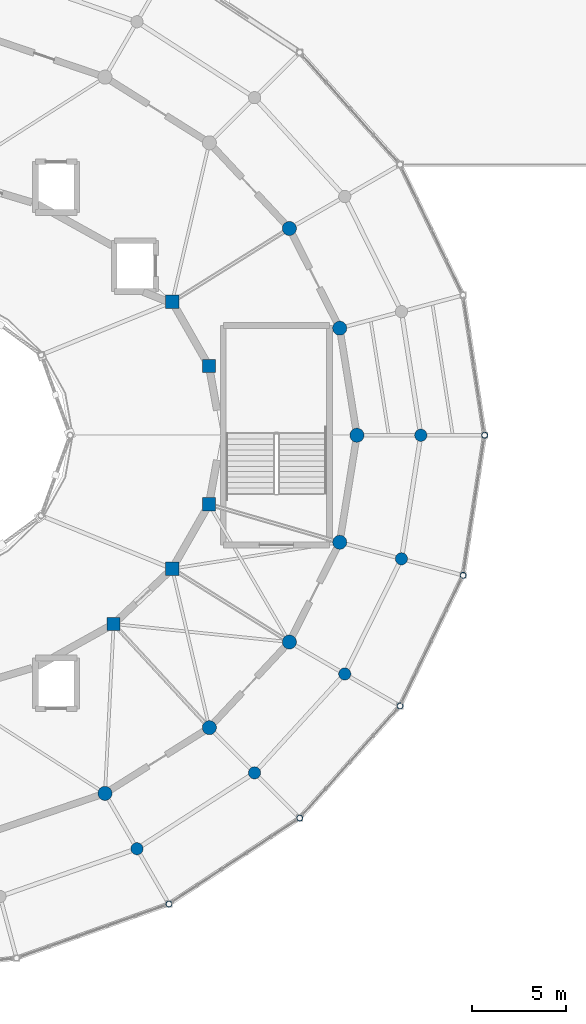
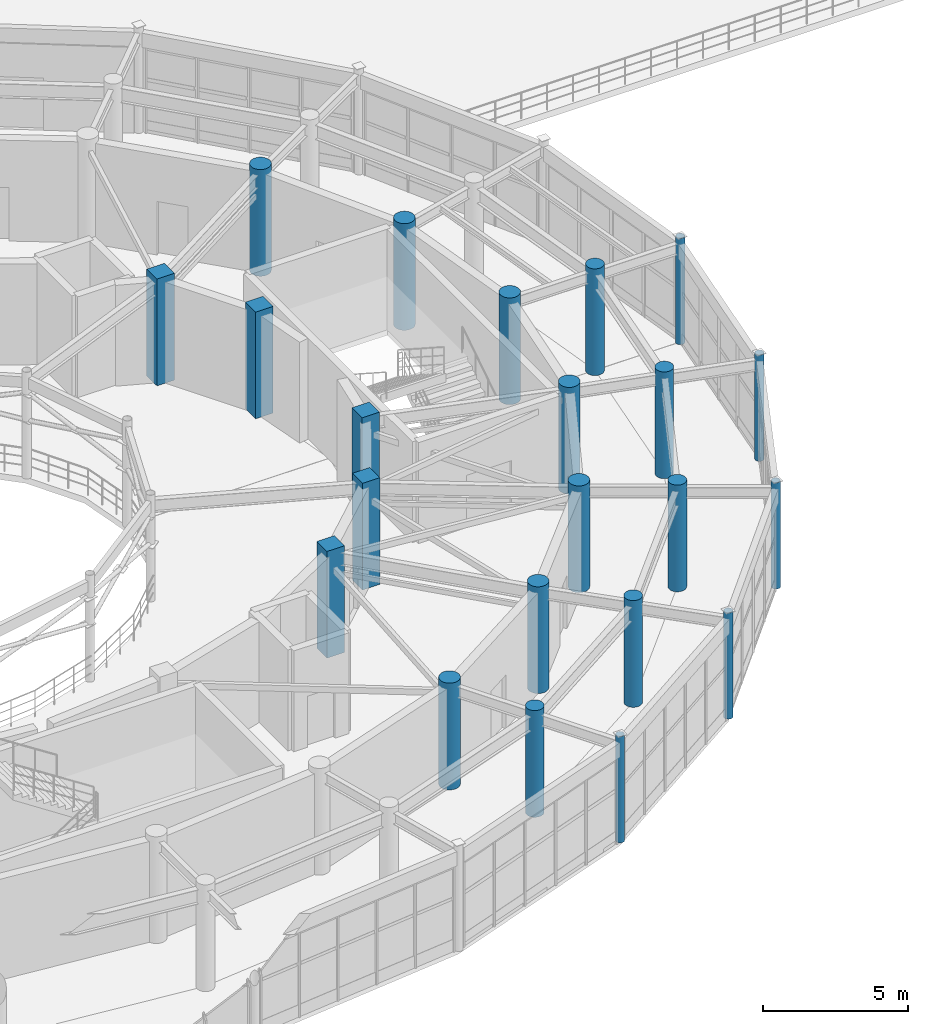
# One storey, part 12 of 60: 22 columns.
"""IFC4 building model written with IfcOpenShell, lengths in metres."""

from ifc_helpers import new_model, si_unit, direction, frame, origin, origin_2d, place, context, subcontext, project, spatial, rectangle, circle, hollow_circle, extrude, material, material_profile, profile_set, type_object, element, save


model = new_model("IFC4")

# Units and contexts
model_context = context("Model", 3, precision=1e-05, world=origin(), true_north=direction((0.0, 1.0)))
body_context = subcontext(model_context, "Body", "Model", "MODEL_VIEW")
ifc_project = project(units=[si_unit("LENGTHUNIT", "METRE"), si_unit("AREAUNIT", "SQUARE_METRE"), si_unit("VOLUMEUNIT", "CUBIC_METRE"), si_unit("PLANEANGLEUNIT", "RADIAN"), si_unit("MASSUNIT", "GRAM", prefix="KILO")], contexts=[model_context])

# Site, building, storey
site_placement = place(None, origin())
site = spatial("IfcSite", under=ifc_project, at=site_placement, CompositionType="ELEMENT")
building_placement = place(site_placement, origin())
building = spatial("IfcBuilding", under=site, at=building_placement, Name="Cinderbank Siding Concert Hall", CompositionType="ELEMENT")
storey_placement = place(building_placement, frame((0.0, 0.0, 14.699951171875)))
storey = spatial("IfcBuildingStorey", under=building, at=storey_placement, Name="L04", CompositionType="ELEMENT", Elevation=14.699951171875)

# Columns
ifc_material_1 = material(Name="Structural steel hollow section AS/NZS 1163 Grade C350L0 (350 MPa)", Category="steel")
ifc_material_profile_1 = material_profile(ifc_material_1, hollow_circle(Radius=0.161865234375, WallThickness=0.0126953125, at=origin_2d()), Name="323.9x12.7CHS", Category="LoadBearing")
ifc_profile_set_1 = profile_set([ifc_material_profile_1], Name="Structural steel hollow section AS/NZS 1163 Grade C350L0 (350 MPa)")
column_type_1 = type_object("IfcColumnType", Name="C-CHS323 323.9x12.7CHS", PredefinedType="COLUMN", material=ifc_profile_set_1)
for number, where, z_axis, x_axis, name in (
    (1, (155.60009765625, 44.0, 0.0), (0.0, 0.0, 1.0), (1.0, 0.0, 0.0), "L04 Column COL-E4-01"),
    (2, (138.800048828125, 19.05810546875, 0.0), (0.0, 0.0, 1.0), (1.0, 0.0, 0.0), "L04 Column COL-E4-21"),
    (3, (145.759033203125, 23.635009765625, 0.0), (0.0, 0.0, 1.0), (1.0, 0.0, 0.0), "L04 Column COL-E4-22"),
    (4, (151.09912109375, 29.60009765625, 0.0), (0.0, 0.0, 1.0), (1.0, 0.0, 0.0), "L04 Column COL-E4-23"),
    (5, (154.455078125, 36.5458984375, 0.0), (0.0, 0.0, 1.0), (1.0, 0.0, 0.0), "L04 Column COL-E4-24"),
):
    element("IfcColumn", number, at=place(storey_placement, frame(where, z_axis=z_axis, x_axis=x_axis)), inside=storey, type_object=column_type_1, Name=name, PredefinedType="COLUMN", context=body_context, shape_type="SweptSolid", body=[
        extrude(hollow_circle(Radius=0.161865234375, WallThickness=0.0126953125, at=origin_2d()), origin(), (0.0, 0.0, 1.0), 4.47998046875),
    ])
ifc_material_2 = material(Name="Reinforced concrete AS 3600 N50 (50 MPa)", Category="concrete")
ifc_material_profile_2 = material_profile(ifc_material_2, rectangle(XDim=0.699951171875, YDim=0.699951171875, at=origin_2d()), Name="RC-COL-700x700", Category="LoadBearing")
ifc_profile_set_2 = profile_set([ifc_material_profile_2], Name="Reinforced concrete AS 3600 N50 (50 MPa)")
column_type_2 = type_object("IfcColumnType", Name="C-RC700 RC-COL-700x700", PredefinedType="COLUMN", material=ifc_profile_set_2)
for number, where, z_axis, x_axis, name in (
    (6, (140.931884765625, 47.675048828125, 0.0), (0.0, 0.0, 1.0), (1.0, 0.0, 0.0), "L04 Column COL-E1-02"),
    (7, (138.97412109375, 51.10009765625, 0.0), (0.0, 0.0, 1.0), (1.0, 0.0, 0.0), "L04 Column COL-E1-03"),
    (8, (135.85888671875, 33.958984375, 0.0), (0.0, 0.0, 1.0), (1.0, 0.0, 0.0), "L04 Column COL-E1-22"),
    (9, (138.97412109375, 36.89990234375, 0.0), (0.0, 0.0, 1.0), (1.0, 0.0, 0.0), "L04 Column COL-E1-23"),
    (10, (140.931884765625, 40.324951171875, 0.0), (0.0, 0.0, 1.0), (1.0, 0.0, 0.0), "L04 Column COL-E1-24"),
):
    element("IfcColumn", number, at=place(storey_placement, frame(where, z_axis=z_axis, x_axis=x_axis)), inside=storey, type_object=column_type_2, Name=name, PredefinedType="COLUMN", context=body_context, shape_type="SweptSolid", body=[
        extrude(rectangle(XDim=0.699951171875, YDim=0.699951171875, at=origin_2d()), origin(), (0.0, 0.0, 1.0), 4.5),
    ])
ifc_material_profile_3 = material_profile(ifc_material_2, circle(Radius=0.324951171875, at=origin_2d()), Name="RC-COL-650DIA", Category="LoadBearing")
ifc_profile_set_3 = profile_set([ifc_material_profile_3], Name="Reinforced concrete AS 3600 N50 (50 MPa)")
column_type_3 = type_object("IfcColumnType", Name="C-RCD650 RC-COL-650DIA", PredefinedType="COLUMN", material=ifc_profile_set_3)
for number, where, z_axis, x_axis, name in (
    (11, (152.199951171875, 44.0, 0.0), (0.0, 0.0, 1.0), (1.0, 0.0, 0.0), "L04 Column COL-E3-01"),
    (12, (137.10009765625, 22.0029296875, 0.0), (0.0, 0.0, 1.0), (1.0, 0.0, 0.0), "L04 Column COL-E3-21"),
    (13, (143.35498046875, 26.0400390625, 0.0), (0.0, 0.0, 1.0), (1.0, 0.0, 0.0), "L04 Column COL-E3-22"),
    (14, (148.154052734375, 31.300048828125, 0.0), (0.0, 0.0, 1.0), (1.0, 0.0, 0.0), "L04 Column COL-E3-23"),
    (15, (151.1708984375, 37.426025390625, 0.0), (0.0, 0.0, 1.0), (1.0, 0.0, 0.0), "L04 Column COL-E3-24"),
):
    element("IfcColumn", number, at=place(storey_placement, frame(where, z_axis=z_axis, x_axis=x_axis)), inside=storey, type_object=column_type_3, Name=name, PredefinedType="COLUMN", context=body_context, shape_type="SweptSolid", body=[
        extrude(circle(Radius=0.324951171875, at=origin_2d()), origin(), (0.0, 0.0, 1.0), 4.5),
    ])
ifc_material_profile_4 = material_profile(ifc_material_2, circle(Radius=0.375, at=origin_2d()), Name="RC-COL-750DIA", Category="LoadBearing")
ifc_profile_set_4 = profile_set([ifc_material_profile_4], Name="Reinforced concrete AS 3600 N50 (50 MPa)")
column_type_4 = type_object("IfcColumnType", Name="C-RCD750 RC-COL-750DIA", PredefinedType="COLUMN", material=ifc_profile_set_4)
for number, where, z_axis, x_axis, name in (
    (16, (148.800048828125, 44.0, 0.0), (0.0, 0.0, 1.0), (1.0, 0.0, 0.0), "L04 Column COL-E2-01"),
    (17, (147.886962890625, 49.694091796875, 0.0), (0.0, 0.0, 1.0), (1.0, 0.0, 0.0), "L04 Column COL-E2-02"),
    (18, (145.208984375, 55.0, 0.0), (0.0, 0.0, 1.0), (1.0, 0.0, 0.0), "L04 Column COL-E2-03"),
    (19, (135.39990234375, 24.947021484375, 0.0), (0.0, 0.0, 1.0), (1.0, 0.0, 0.0), "L04 Column COL-E2-21"),
    (20, (140.950927734375, 28.444091796875, 0.0), (0.0, 0.0, 1.0), (1.0, 0.0, 0.0), "L04 Column COL-E2-22"),
    (21, (145.208984375, 33.0, 0.0), (0.0, 0.0, 1.0), (1.0, 0.0, 0.0), "L04 Column COL-E2-23"),
    (22, (147.886962890625, 38.305908203125, 0.0), (0.0, 0.0, 1.0), (1.0, 0.0, 0.0), "L04 Column COL-E2-24"),
):
    element("IfcColumn", number, at=place(storey_placement, frame(where, z_axis=z_axis, x_axis=x_axis)), inside=storey, type_object=column_type_4, Name=name, PredefinedType="COLUMN", context=body_context, shape_type="SweptSolid", body=[
        extrude(circle(Radius=0.375, at=origin_2d()), origin(), (0.0, 0.0, 1.0), 4.5),
    ])

save(model, "model.ifc")
